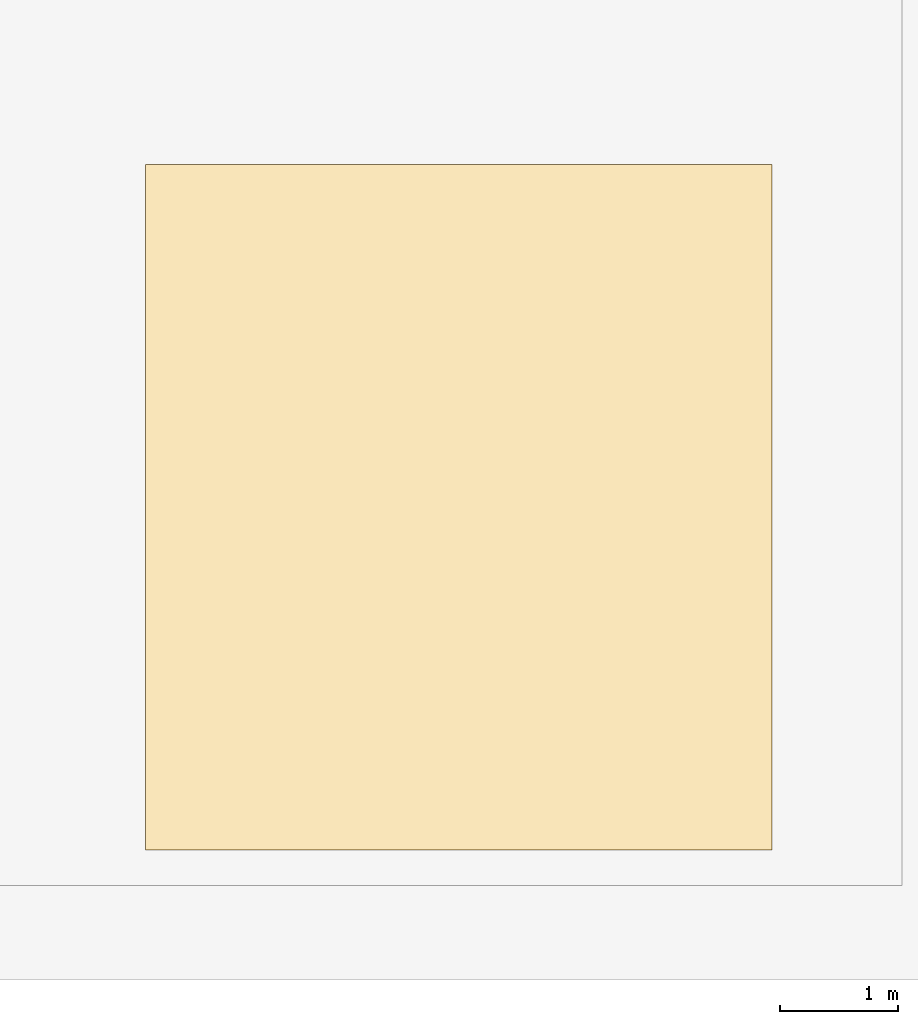
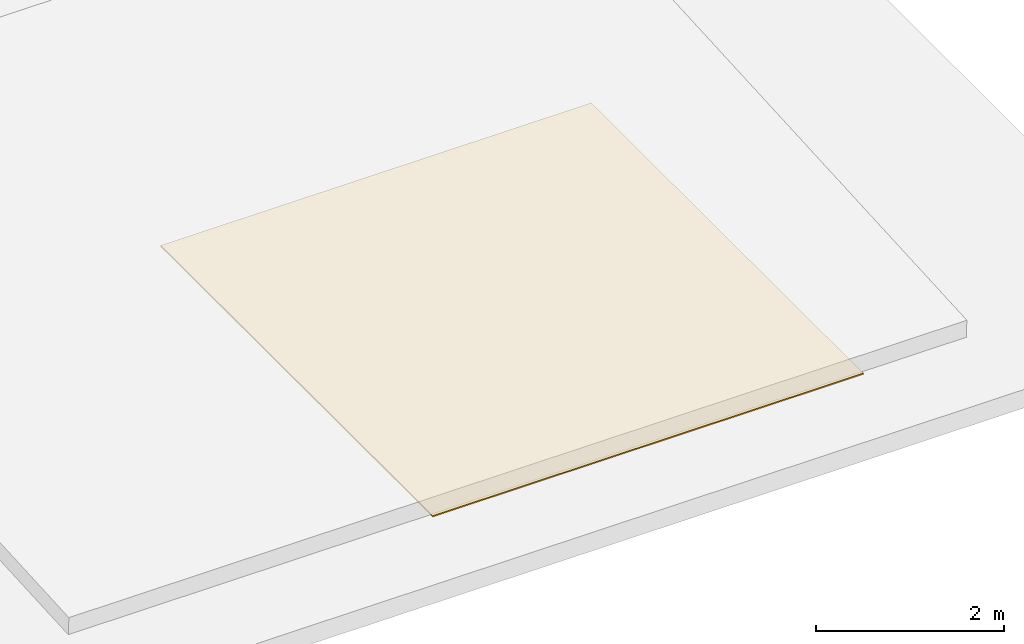
# One storey, part 2 of 2: 1 covering.
"""IFC4 building model written with IfcOpenShell, lengths in metres."""

from ifc_helpers import new_model, si_unit, direction, frame, origin, place, context, subcontext, project, spatial, polyline, outline, extrude, material, layer, layer_set, type_object, element, save


model = new_model("IFC4")

# Units and contexts
model_context = context("Model", 3, precision=1e-05, world=origin(), true_north=direction((0.0, 1.0)))
body_context = subcontext(model_context, "Body", "Model", "MODEL_VIEW")
ifc_project = project(units=[si_unit("LENGTHUNIT", "METRE"), si_unit("AREAUNIT", "SQUARE_METRE"), si_unit("VOLUMEUNIT", "CUBIC_METRE"), si_unit("PLANEANGLEUNIT", "RADIAN"), si_unit("MASSUNIT", "GRAM", prefix="KILO")], contexts=[model_context])

# Site, building, storey
site_placement = place(None, origin())
site = spatial("IfcSite", under=ifc_project, at=site_placement, CompositionType="ELEMENT")
building_placement = place(site_placement, origin())
building = spatial("IfcBuilding", under=site, at=building_placement, Name="Zuhayl Quay Hotel", CompositionType="ELEMENT")
storey_placement = place(building_placement, frame((0.0, 0.0, 318.760009765625)))
storey = spatial("IfcBuildingStorey", under=building, at=storey_placement, Name="ROOF", CompositionType="ELEMENT", Elevation=318.760009765625)

# Covering
ifc_material = material(Name="EPDM Elastomeric Waterproofing Membrane")
ifc_layer = layer(ifc_material, 0.014892578125, Name="EPDM Elastomeric Waterproofing Membrane")
ifc_layer_set = layer_set([ifc_layer], Name="EPDM Elastomeric Waterproofing Membrane")
covering_type = type_object("IfcCoveringType", Name="CV_ROOF_MEMBRANE", PredefinedType="ROOFING", material=ifc_layer_set)
covering_placement = place(storey_placement, frame((0.0, 0.0, 0.239990234375)))
element("IfcCovering", 1, at=covering_placement, inside=storey, type_object=covering_type, Name="Crown 6 Elastomeric Roof Membrane", PredefinedType="ROOFING", context=body_context, shape_type="SweptSolid", body=[
    extrude(outline(polyline([(-4.800048828125, 25.39990234375), (0.5, 25.39990234375), (0.5, 31.199951171875), (-4.800048828125, 31.199951171875), (-4.800048828125, 25.39990234375)])), origin(), (0.0, 0.0, 1.0), 0.014892578125),
])

save(model, "model.ifc")
